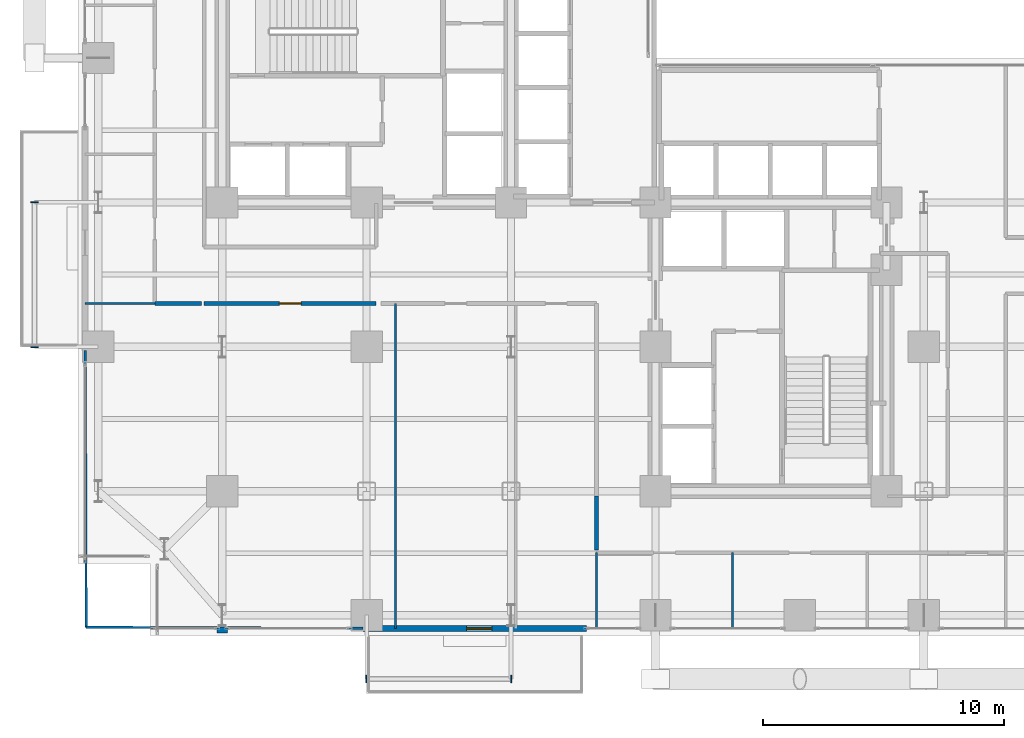
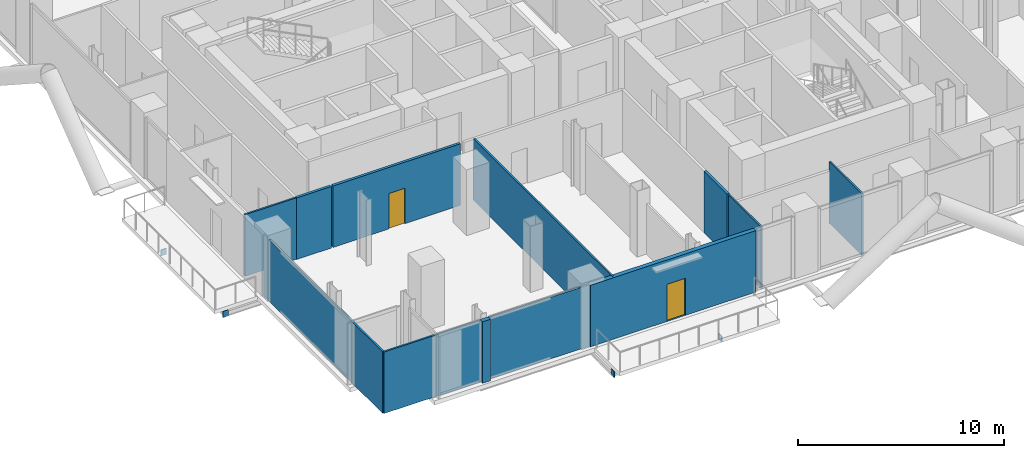
# One storey, part 19 of 25: 12 walls, 4 plates, 2 doors, 2 openings.
"""IFC4 building model written with IfcOpenShell, lengths in metres."""

from ifc_helpers import new_model, si_unit, direction, frame, frame_2d, origin, origin_2d, place, context, subcontext, project, spatial, rectangle, extrude, material, layer, layer_set, type_object, element, fill, save


model = new_model("IFC4")

# Units and contexts
model_context = context("Model", 3, precision=1e-05, world=origin(), true_north=direction((0.0, 1.0)))
body_context = subcontext(model_context, "Body", "Model", "MODEL_VIEW")
ifc_project = project(units=[si_unit("LENGTHUNIT", "METRE"), si_unit("AREAUNIT", "SQUARE_METRE"), si_unit("VOLUMEUNIT", "CUBIC_METRE"), si_unit("PLANEANGLEUNIT", "RADIAN"), si_unit("MASSUNIT", "GRAM", prefix="KILO"), si_unit("THERMODYNAMICTEMPERATUREUNIT", "KELVIN"), si_unit("POWERUNIT", "WATT")], contexts=[model_context])

# Site, building, storey
site_placement = place(None, origin())
site = spatial("IfcSite", under=ifc_project, at=site_placement, CompositionType="ELEMENT")
building_placement = place(site_placement, origin())
building = spatial("IfcBuilding", under=site, at=building_placement, Name="Svarakhadi Broadcast Tower", CompositionType="ELEMENT")
storey_placement = place(building_placement, frame((0.0, 0.0, 36.300048828125)))
storey = spatial("IfcBuildingStorey", under=building, at=storey_placement, Name="L07", CompositionType="ELEMENT", Elevation=36.300048828125)

# Plates
ifc_material_1 = material(Name="Steel S460ML (IS 2062 E450BR)", Category="steel")
ifc_layer_1 = layer(ifc_material_1, 0.028076171875)
ifc_layer_set_1 = layer_set([ifc_layer_1], Name="Steel S460ML (IS 2062 E450BR)")
plate_type = type_object("IfcPlateType", Name="Cap_Plate_CP02", PredefinedType="USERDEFINED", material=ifc_layer_set_1)
for number, where, z_axis, x_axis, name in (
    (1, (11.985107421875, -1.800048828125, -0.580078125), (0.0, 0.0, 1.0), (1.0, 0.0, 0.0), "L07 Balcony Spandrel End Cap Plate 1F-A"),
    (2, (18.014892578125, -1.800048828125, -0.580078125), (0.0, 0.0, 1.0), (1.0, 0.0, 0.0), "L07 Balcony Spandrel End Cap Plate 1F-B"),
):
    element("IfcPlate", number, at=place(storey_placement, frame(where, z_axis=z_axis, x_axis=x_axis)), inside=storey, type_object=plate_type, Name=name, ObjectType="FLANGE_PLATE", PredefinedType="USERDEFINED", context=body_context, shape_type="SweptSolid", body=[
        extrude(rectangle(XDim=0.0400390625, YDim=0.300048828125, at=origin_2d()), origin(), (0.0, 0.0, 1.0), 0.360107421875),
    ])
for number, where, z_axis, x_axis, name in (
    (3, (-1.800048828125, 11.985107421875, -0.580078125), (0.0, 0.0, 1.0), (1.0, 0.0, 0.0), "L07 Balcony Spandrel End Cap Plate 2F-A"),
    (4, (-1.800048828125, 18.014892578125, -0.580078125), (0.0, 0.0, 1.0), (1.0, 0.0, 0.0), "L07 Balcony Spandrel End Cap Plate 2F-B"),
):
    element("IfcPlate", number, at=place(storey_placement, frame(where, z_axis=z_axis, x_axis=x_axis)), inside=storey, type_object=plate_type, Name=name, ObjectType="FLANGE_PLATE", PredefinedType="USERDEFINED", context=body_context, shape_type="SweptSolid", body=[
        extrude(rectangle(XDim=0.300048828125, YDim=0.0400390625, at=origin_2d()), origin(), (0.0, 0.0, 1.0), 0.360107421875),
    ])

# Wall, opening, door
ifc_material_2 = material(Name="Concrete C40/50 (IS 456 M50)", Category="concrete")
ifc_layer_2 = layer(ifc_material_2, 0.239990234375)
ifc_layer_set_2 = layer_set([ifc_layer_2], Name="Concrete C40/50 (IS 456 M50)")
wall_type_1 = type_object("IfcWallType", Name="Wall_Ext_240", PredefinedType="SOLIDWALL", material=ifc_layer_set_2)
wall_1_placement = place(storey_placement, frame((21.14501953125, 0.300048828125, 0.0), z_axis=(0.0, 0.0, 1.0), x_axis=(-1.0, 0.0, 0.0)))
wall_1 = element("IfcWall", 5, at=wall_1_placement, inside=storey, type_object=wall_type_1, Name="L07 South Tree Balcony Spandrel Wall", PredefinedType="SOLIDWALL", context=body_context, shape_type="SweptSolid", body=[
    extrude(rectangle(XDim=9.2900390625, YDim=0.239990234375, at=frame_2d((4.64501953125, 0.0))), origin(), (0.0, 0.0, 1.0), 3.64990234375),
])
opening_1_placement = place(wall_1_placement, frame((3.945068359375, 0.0, 0.0)))
opening_1 = element("IfcOpeningElement", 6, at=opening_1_placement, cuts=wall_1, Name="Opening ED-05", PredefinedType="OPENING", context=body_context, shape_type="SweptSolid", body=[
    extrude(rectangle(XDim=1.050048828125, YDim=2.199951171875, at=frame_2d((0.52490234375, 1.10009765625))), frame((0.0, 0.1298828125, 0.0), z_axis=(0.0, -1.0, 0.0), x_axis=(1.0, 0.0, 0.0)), (0.0, 0.0, 1.0), 0.260009765625),
])
ifc_material_3 = material(Name="Anodised Bronze Aluminium AA 6063-T6", Category="aluminium")
door_type_1 = type_object("IfcDoorType", Name="Door_Ext_ED05", OperationType="SINGLE_SWING_LEFT", PredefinedType="DOOR", material=ifc_material_3)
door_1_placement = place(opening_1_placement, origin())
door_1 = element("IfcDoor", 7, at=door_1_placement, inside=storey, type_object=door_type_1, Name="L07 South Tree Balcony Door", OperationType="SINGLE_SWING_LEFT", OverallHeight=2.199951171875, OverallWidth=1.050048828125, PredefinedType="DOOR", context=body_context, shape_type="SweptSolid", body=[
    extrude(rectangle(XDim=1.050048828125, YDim=2.199951171875, at=frame_2d((0.52490234375, 1.10009765625))), frame((0.0, 0.02490234375, 0.0), z_axis=(0.0, -1.0, 0.0), x_axis=(1.0, 0.0, 0.0)), (0.0, 0.0, 1.0), 0.050048828125),
])
fill(opening_1, door_1)

# Walls
wall_2_placement = place(storey_placement, frame((6.215087890625, 0.239990234375, 0.0), z_axis=(0.0, 0.0, 1.0), x_axis=(-1.0, 0.0, 0.0)))
element("IfcWall", 8, at=wall_2_placement, inside=storey, type_object=wall_type_1, Name="L07 Perimeter Bronze Spandrel Closure Wall 06", PredefinedType="SOLIDWALL", context=body_context, shape_type="SweptSolid", body=[
    extrude(rectangle(XDim=0.43017578125, YDim=0.239990234375, at=frame_2d((0.215087890625, 0.0))), origin(), (0.0, 0.0, 1.0), 3.64990234375),
])
ifc_material_4 = material(Name="Fire-Rated Moisture-Resistant Gypsum Board Partition", Category="gypsum")
ifc_layer_3 = layer(ifc_material_4, 0.10009765625)
ifc_layer_set_3 = layer_set([ifc_layer_3], Name="Fire-Rated Moisture-Resistant Gypsum Board Partition")
wall_type_2 = type_object("IfcWallType", Name="Wall_Part_100", PredefinedType="PARTITIONING", material=ifc_layer_set_3)
wall_3_placement = place(storey_placement, frame((0.35009765625, 0.35009765625, 0.0), z_axis=(0.0, 0.0, 1.0), x_axis=(0.999992363151, -0.003908150379, 0.0)))
element("IfcWall", 9, at=wall_3_placement, inside=storey, type_object=wall_type_2, Name="L07 Main Broadcast Newsroom Open Desk Office Wall", PredefinedType="PARTITIONING", context=body_context, shape_type="SweptSolid", body=[
    extrude(rectangle(XDim=5.434814453125, YDim=0.10009765625, at=frame_2d((2.71728515625, 0.0))), origin(), (0.0, 0.0, 1.0), 3.64990234375),
])
wall_4_placement = place(storey_placement, frame((6.215087890625, 0.3271484375, 0.0), z_axis=(0.0, 0.0, 1.0), x_axis=(0.999992410931, -0.003895905674, 0.0)))
element("IfcWall", 10, at=wall_4_placement, inside=storey, type_object=wall_type_2, Name="L07 Main Broadcast Newsroom Open Desk Office Wall", PredefinedType="PARTITIONING", context=body_context, shape_type="SweptSolid", body=[
    extrude(rectangle(XDim=5.639892578125, YDim=0.10009765625, at=frame_2d((2.81982421875, 0.0))), origin(), (0.0, 0.0, 1.0), 3.64990234375),
])
wall_5_placement = place(storey_placement, frame((0.35009765625, 0.35009765625, 0.0), z_axis=(0.0, 0.0, 1.0), x_axis=(-0.003734801216, 0.999993025606, 0.0)))
element("IfcWall", 11, at=wall_5_placement, inside=storey, type_object=wall_type_2, Name="L07 Main Broadcast Newsroom Open Desk Office Wall", PredefinedType="PARTITIONING", context=body_context, shape_type="SweptSolid", body=[
    extrude(rectangle(XDim=11.5048828125, YDim=0.10009765625, at=frame_2d((5.75244140625, 0.0))), origin(), (0.0, 0.0, 1.0), 3.64990234375),
])
wall_6_placement = place(storey_placement, frame((13.199951171875, 0.300048828125, 0.0), z_axis=(0.0, 0.0, 1.0), x_axis=(0.0, 1.0, 0.0)))
element("IfcWall", 12, at=wall_6_placement, inside=storey, type_object=wall_type_2, Name="L07 Main Broadcast Newsroom Open Desk Office Wall", PredefinedType="PARTITIONING", context=body_context, shape_type="SweptSolid", body=[
    extrude(rectangle(XDim=13.5, YDim=0.10009765625, at=frame_2d((6.75, 0.0))), origin(), (0.0, 0.0, 1.0), 3.64990234375),
])
wall_7_placement = place(storey_placement, frame((0.300048828125, 13.800048828125, 0.0), z_axis=(0.0, 0.0, 1.0), x_axis=(1.0, 0.0, 0.0)))
element("IfcWall", 13, at=wall_7_placement, inside=storey, type_object=wall_type_2, Name="L07 Arabian Sea Commentary Booth Wall", PredefinedType="PARTITIONING", context=body_context, shape_type="SweptSolid", body=[
    extrude(rectangle(XDim=2.89990234375, YDim=0.10009765625, at=frame_2d((1.449951171875, 0.0))), origin(), (0.0, 0.0, 1.0), 3.64990234375),
])
for number, where, z_axis, x_axis, name in (
    (14, (21.550048828125, 0.300048828125, 0.0), (0.0, 0.0, 1.0), (0.0, 1.0, 0.0), "L07 South Harbour Editorial Desk Wall"),
    (15, (27.199951171875, 0.300048828125, 0.0), (0.0, 0.0, 1.0), (0.0, 1.0, 0.0), "L07 South Harbour Editorial Desk Wall"),
):
    element("IfcWall", number, at=place(storey_placement, frame(where, z_axis=z_axis, x_axis=x_axis)), inside=storey, type_object=wall_type_2, Name=name, PredefinedType="PARTITIONING", context=body_context, shape_type="SweptSolid", body=[
        extrude(rectangle(XDim=3.14990234375, YDim=0.10009765625, at=frame_2d((1.574951171875, 0.0))), origin(), (0.0, 0.0, 1.0), 3.64990234375),
    ])
ifc_material_5 = material(Name="Autoclaved Aerated Concrete Blockwork 150 mm", Category="masonry")
ifc_layer_4 = layer(ifc_material_5, 0.14990234375)
ifc_layer_set_4 = layer_set([ifc_layer_4], Name="Autoclaved Aerated Concrete Blockwork 150 mm")
wall_type_3 = type_object("IfcWallType", Name="Wall_Part_150", PredefinedType="PARTITIONING", material=ifc_layer_set_4)
wall_8_placement = place(storey_placement, frame((21.550048828125, 3.550048828125, 0.0), z_axis=(0.0, 0.0, 1.0), x_axis=(0.0, 1.0, 0.0)))
element("IfcWall", 16, at=wall_8_placement, inside=storey, type_object=wall_type_3, Name="L07 Broadcast Corridor Wall", PredefinedType="PARTITIONING", context=body_context, shape_type="SweptSolid", body=[
    extrude(rectangle(XDim=2.25, YDim=0.14990234375, at=frame_2d((1.125, 0.0))), origin(), (0.0, 0.0, 1.0), 3.64990234375),
])

# Wall, opening, door
wall_9_placement = place(storey_placement, frame((12.39990234375, 13.800048828125, 0.0), z_axis=(0.0, 0.0, 1.0), x_axis=(-1.0, 0.0, 0.0)))
wall_9 = element("IfcWall", 17, at=wall_9_placement, inside=storey, type_object=wall_type_3, Name="L07 Broadcast Corridor Wall", PredefinedType="PARTITIONING", context=body_context, shape_type="SweptSolid", body=[
    extrude(rectangle(XDim=7.14990234375, YDim=0.14990234375, at=frame_2d((3.574951171875, 0.0))), origin(), (0.0, 0.0, 1.0), 3.64990234375),
])
opening_2_placement = place(wall_9_placement, frame((3.125, 0.0, 0.0)))
opening_2 = element("IfcOpeningElement", 18, at=opening_2_placement, cuts=wall_9, Name="Opening D-15", PredefinedType="OPENING", context=body_context, shape_type="SweptSolid", body=[
    extrude(rectangle(XDim=0.89990234375, YDim=2.10009765625, at=frame_2d((0.449951171875, 1.050048828125))), frame((0.0, 0.0849609375, 0.0), z_axis=(0.0, -1.0, 0.0), x_axis=(1.0, 0.0, 0.0)), (0.0, 0.0, 1.0), 0.169921875),
])
ifc_material_6 = material(Name="Solid-Core Teak Veneer Acoustic Timber Leaf", Category="wood")
door_type_2 = type_object("IfcDoorType", Name="Door_Int_D15", OperationType="SINGLE_SWING_RIGHT", PredefinedType="DOOR", material=ifc_material_6)
door_2_placement = place(opening_2_placement, origin())
door_2 = element("IfcDoor", 19, at=door_2_placement, inside=storey, type_object=door_type_2, Name="L07 Main Broadcast Newsroom Open Desk Office Door", OperationType="SINGLE_SWING_RIGHT", OverallHeight=2.10009765625, OverallWidth=0.89990234375, PredefinedType="DOOR", context=body_context, shape_type="SweptSolid", body=[
    extrude(rectangle(XDim=0.89990234375, YDim=2.10009765625, at=frame_2d((0.449951171875, 1.050048828125))), frame((0.0, 0.02490234375, 0.0), z_axis=(0.0, -1.0, 0.0), x_axis=(1.0, 0.0, 0.0)), (0.0, 0.0, 1.0), 0.050048828125),
])
fill(opening_2, door_2)

# Wall
wall_10_placement = place(storey_placement, frame((5.14990234375, 13.800048828125, 0.0), z_axis=(0.0, 0.0, 1.0), x_axis=(-1.0, 0.0, 0.0)))
element("IfcWall", 20, at=wall_10_placement, inside=storey, type_object=wall_type_3, Name="L07 Broadcast Corridor Wall", PredefinedType="PARTITIONING", context=body_context, shape_type="SweptSolid", body=[
    extrude(rectangle(XDim=1.949951171875, YDim=0.14990234375, at=frame_2d((0.97509765625, 0.0))), origin(), (0.0, 0.0, 1.0), 3.64990234375),
])

save(model, "model.ifc")
